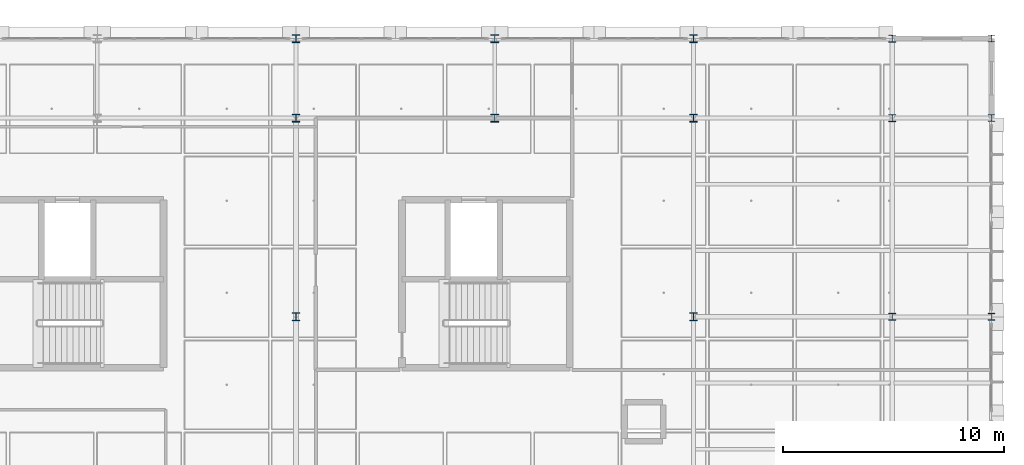
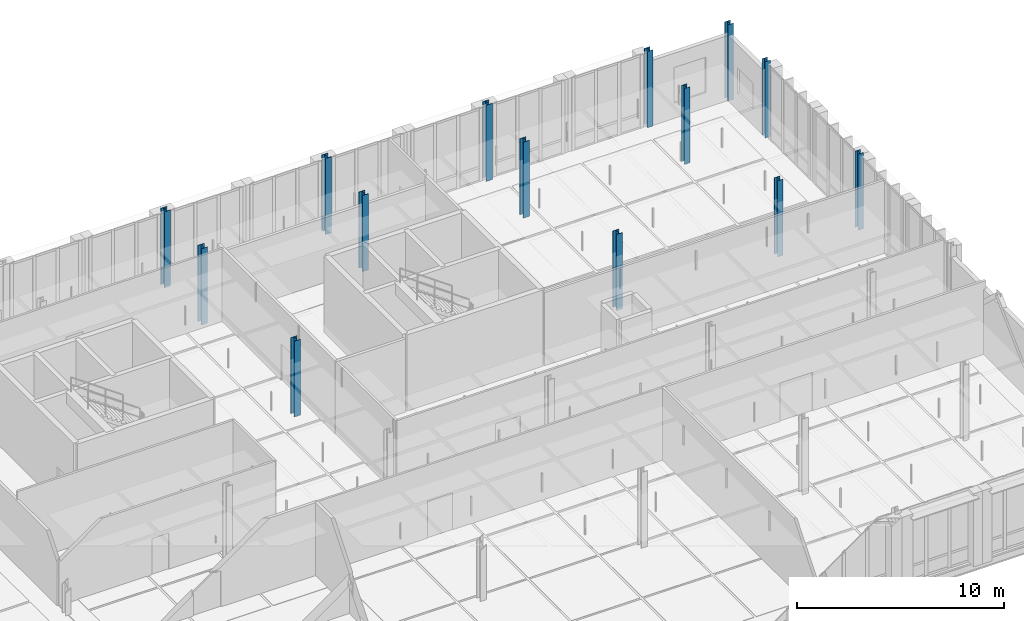
# One storey, part 22 of 130: 14 columns.
"""IFC4 building model written with IfcOpenShell, lengths in metres."""

from ifc_helpers import new_model, si_unit, direction, frame, origin, origin_2d, place, context, subcontext, project, spatial, i_section, extrude, material, material_profile, profile_set, type_object, element, save


model = new_model("IFC4")

# Units and contexts
model_context = context("Model", 3, precision=1e-05, world=origin(), true_north=direction((0.0, 1.0)))
body_context = subcontext(model_context, "Body", "Model", "MODEL_VIEW")
ifc_project = project(units=[si_unit("LENGTHUNIT", "METRE"), si_unit("AREAUNIT", "SQUARE_METRE"), si_unit("VOLUMEUNIT", "CUBIC_METRE"), si_unit("PLANEANGLEUNIT", "RADIAN"), si_unit("MASSUNIT", "GRAM", prefix="KILO"), si_unit("THERMODYNAMICTEMPERATUREUNIT", "KELVIN"), si_unit("POWERUNIT", "WATT")], contexts=[model_context])

# Site, building, storey
site_placement = place(None, origin())
site = spatial("IfcSite", under=ifc_project, at=site_placement, CompositionType="ELEMENT")
building_placement = place(site_placement, origin())
building = spatial("IfcBuilding", under=site, at=building_placement, Name="Tallowbark Science Centre", CompositionType="ELEMENT")
storey_placement = place(building_placement, frame((0.0, 0.0, 5.39990234375)))
storey = spatial("IfcBuildingStorey", under=building, at=storey_placement, Name="L01", CompositionType="ELEMENT", Elevation=5.39990234375)

# Columns
ifc_material = material(Name="Structural Steel Grade 300PLUS (300 MPa)", Category="steel")
ifc_material_profile_1 = material_profile(ifc_material, i_section(OverallWidth=0.307373046875, OverallDepth=0.314697265625, WebThickness=0.011962890625, FlangeThickness=0.018798828125, FilletRadius=0.0166015625, at=origin_2d()), Name="310UC118")
ifc_profile_set_1 = profile_set([ifc_material_profile_1], Name="Structural Steel Grade 300PLUS (300 MPa)")
column_type_1 = type_object("IfcColumnType", Name="COL-UC310C", PredefinedType="COLUMN", material=ifc_profile_set_1)
for number, where, z_axis, x_axis, name in (
    (1, (157.5, 99.0, 0.0), (0.0, 0.0, 1.0), (1.0, 0.0, 0.0), "Column OBS-5_3 L01"),
    (2, (157.5, 108.0, 0.0), (0.0, 0.0, 1.0), (1.0, 0.0, 0.0), "Column OBS-5_4 L01"),
    (3, (157.5, 111.60009765625, 0.0), (0.0, 0.0, 1.0), (1.0, 0.0, 0.0), "Column OBS-5_5 L01"),
):
    element("IfcColumn", number, at=place(storey_placement, frame(where, z_axis=z_axis, x_axis=x_axis)), inside=storey, type_object=column_type_1, Name=name, PredefinedType="COLUMN", context=body_context, shape_type="SweptSolid", body=[
        extrude(i_section(OverallWidth=0.307373046875, OverallDepth=0.314697265625, WebThickness=0.011962890625, FlangeThickness=0.018798828125, FilletRadius=0.0166015625, at=origin_2d()), origin(), (0.0, 0.0, 1.0), 4.5),
    ])
ifc_material_profile_2 = material_profile(ifc_material, i_section(OverallWidth=0.304931640625, OverallDepth=0.30810546875, WebThickness=0.010009765625, FlangeThickness=0.015380859375, FilletRadius=0.0166015625, at=origin_2d()), Name="310UC96.8")
ifc_profile_set_2 = profile_set([ifc_material_profile_2], Name="Structural Steel Grade 300PLUS (300 MPa)")
column_type_2 = type_object("IfcColumnType", Name="COL-UC310D", PredefinedType="COLUMN", material=ifc_profile_set_2)
for number, where, z_axis, x_axis, name in (
    (4, (162.0, 99.0, 0.0), (0.0, 0.0, 1.0), (1.0, 0.0, 0.0), "Column OBS-6_3 L01"),
    (5, (162.0, 108.0, 0.0), (0.0, 0.0, 1.0), (1.0, 0.0, 0.0), "Column OBS-6_4 L01"),
    (6, (162.0, 111.60009765625, 0.0), (0.0, 0.0, 1.0), (1.0, 0.0, 0.0), "Column OBS-6_5 L01"),
):
    element("IfcColumn", number, at=place(storey_placement, frame(where, z_axis=z_axis, x_axis=x_axis)), inside=storey, type_object=column_type_2, Name=name, PredefinedType="COLUMN", context=body_context, shape_type="SweptSolid", body=[
        extrude(i_section(OverallWidth=0.304931640625, OverallDepth=0.30810546875, WebThickness=0.010009765625, FlangeThickness=0.015380859375, FilletRadius=0.0166015625, at=origin_2d()), origin(), (0.0, 0.0, 1.0), 4.5),
    ])
ifc_material_profile_3 = material_profile(ifc_material, i_section(OverallWidth=0.35009765625, OverallDepth=0.35888671875, WebThickness=0.01611328125, FlangeThickness=0.02392578125, FilletRadius=0.013916015625, at=origin_2d()), Name="350WC197")
ifc_profile_set_3 = profile_set([ifc_material_profile_3], Name="Structural Steel Grade 300PLUS (300 MPa)")
column_type_3 = type_object("IfcColumnType", Name="COL-WC350", PredefinedType="COLUMN", material=ifc_profile_set_3)
for number, where, z_axis, x_axis, name in (
    (7, (130.5, 99.0, 0.0), (0.0, 0.0, 1.0), (1.0, 0.0, 0.0), "Column OBS-2_3 L01"),
    (8, (130.5, 108.0, 0.0), (0.0, 0.0, 1.0), (1.0, 0.0, 0.0), "Column OBS-2_4 L01"),
    (9, (130.5, 111.60009765625, 0.0), (0.0, 0.0, 1.0), (1.0, 0.0, 0.0), "Column OBS-2_5 L01"),
    (10, (139.5, 108.0, 0.0), (0.0, 0.0, 1.0), (1.0, 0.0, 0.0), "Column OBS-3_4 L01"),
    (11, (139.5, 111.60009765625, 0.0), (0.0, 0.0, 1.0), (1.0, 0.0, 0.0), "Column OBS-3_5 L01"),
    (12, (148.5, 99.0, 0.0), (0.0, 0.0, 1.0), (1.0, 0.0, 0.0), "Column OBS-4_3 L01"),
    (13, (148.5, 108.0, 0.0), (0.0, 0.0, 1.0), (1.0, 0.0, 0.0), "Column OBS-4_4 L01"),
    (14, (148.5, 111.60009765625, 0.0), (0.0, 0.0, 1.0), (1.0, 0.0, 0.0), "Column OBS-4_5 L01"),
):
    element("IfcColumn", number, at=place(storey_placement, frame(where, z_axis=z_axis, x_axis=x_axis)), inside=storey, type_object=column_type_3, Name=name, PredefinedType="COLUMN", context=body_context, shape_type="SweptSolid", body=[
        extrude(i_section(OverallWidth=0.35009765625, OverallDepth=0.35888671875, WebThickness=0.01611328125, FlangeThickness=0.02392578125, FilletRadius=0.013916015625, at=origin_2d()), origin(), (0.0, 0.0, 1.0), 4.5),
    ])

save(model, "model.ifc")
